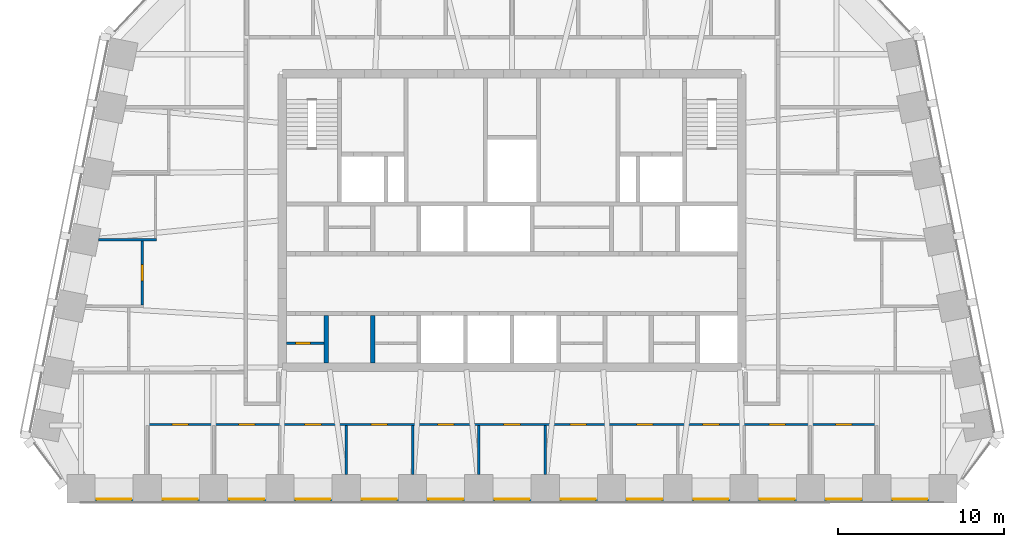
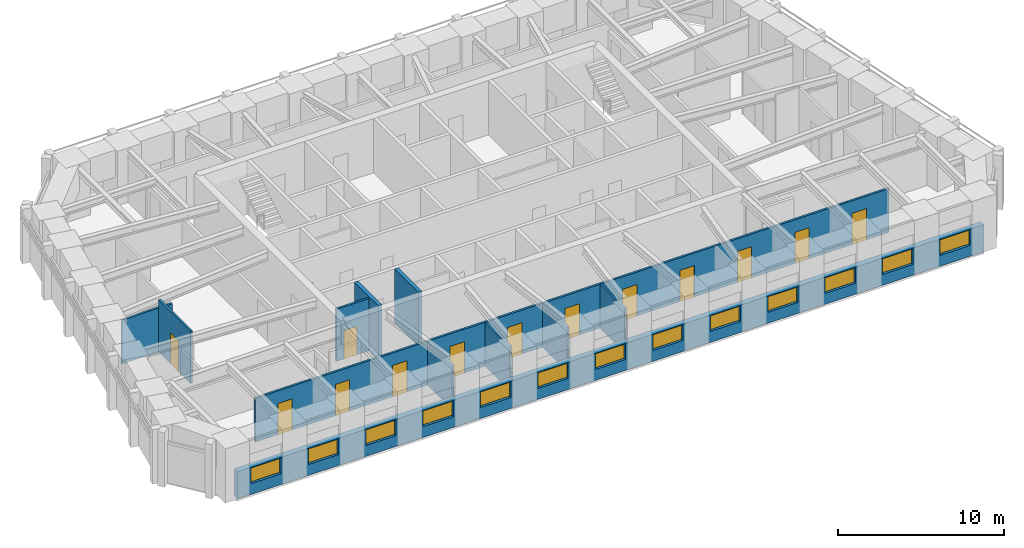
# One storey, part 4 of 10: 13 doors, 13 windows, 11 walls, 26 openings.
"""IFC4 building model written with IfcOpenShell, lengths in metres."""

import ifcopenshell
import ifcopenshell.guid

model = None  # the IFC model being written
_history = None  # IfcOwnerHistory: only IFC2X3 demands one
_inside = {}  # id of a spatial element -> (the spatial element, [elements in it])
_under = {}  # id of a project, library or spatial element -> (it, [spatial elements below it])
_declared = {}  # id of a project -> (the project, [libraries it declares])
_typed = {}  # id of a type object -> (the type object, [elements of that type])
_made_of = {}  # id of a material, layer set ... -> (it, [elements and type objects made of it])


def new_model(schema):
    """Start an empty IFC model of exactly this schema.

    Asked for "IFC4X3", IfcOpenShell would pick the latest addendum, in which some entities
    have other attributes; the version numbers below select the first issue.
    IFC2X3 requires an IfcOwnerHistory on every rooted entity: one is made here for all.
    """
    global model, _history
    if schema == "IFC4X3":
        model = ifcopenshell.file(schema_version=(4, 3, 0, 0))
    else:
        model = ifcopenshell.file(schema=schema)
    _inside.clear()
    _under.clear()
    _declared.clear()
    _typed.clear()
    _made_of.clear()
    _history = None
    if model.schema == "IFC2X3":
        org = make("IfcOrganization", Name="unknown")
        user = make(
            "IfcPersonAndOrganization",
            ThePerson=make("IfcPerson", FamilyName="unknown"),
            TheOrganization=org,
        )
        app = make(
            "IfcApplication",
            ApplicationDeveloper=org,
            Version="unknown",
            ApplicationFullName="unknown",
            ApplicationIdentifier="unknown",
        )
        _history = make(
            "IfcOwnerHistory",
            OwningUser=user,
            OwningApplication=app,
            ChangeAction="ADDED",
            CreationDate=0,
        )
    return model


def make(cls, **values):
    """One entity of the class cls with the attributes given. An attribute that is None is left unset."""
    return model.create_entity(
        cls, **{name: value for name, value in values.items() if value is not None}
    )


def rooted(cls, **values):
    """An entity with a GlobalId (a new one), such as an element, a storey or a relation."""
    return make(cls, GlobalId=ifcopenshell.guid.new(), OwnerHistory=_history, **values)


def si_unit(unit_type, name, prefix=None):
    """IfcSIUnit, for example si_unit("LENGTHUNIT", "METRE", prefix="MILLI")."""
    return make("IfcSIUnit", UnitType=unit_type, Prefix=prefix, Name=name)


def assignment(units):
    """IfcUnitAssignment: the units of a project."""
    return None if units is None else make("IfcUnitAssignment", Units=units)


def point(xyz):
    """IfcCartesianPoint."""
    return None if xyz is None else make("IfcCartesianPoint", Coordinates=xyz)


def direction(xyz):
    """IfcDirection."""
    return None if xyz is None else make("IfcDirection", DirectionRatios=xyz)


def frame(location, z_axis=None, x_axis=None):
    """IfcAxis2Placement3D, a coordinate frame: its origin and axes. An axis left out is left unset."""
    return make(
        "IfcAxis2Placement3D",
        Location=point(location),
        Axis=direction(z_axis),
        RefDirection=direction(x_axis),
    )


def frame_2d(location, x_axis=None):
    """IfcAxis2Placement2D, a coordinate frame in the plane: its origin and x axis."""
    return make(
        "IfcAxis2Placement2D", Location=point(location), RefDirection=direction(x_axis)
    )


def origin():
    """The frame at (0, 0, 0) with its axes left unset."""
    return frame((0.0, 0.0, 0.0))


def place(relative_to, where):
    """IfcLocalPlacement: puts the frame where relative to a parent placement (None: the world)."""
    return make(
        "IfcLocalPlacement", PlacementRelTo=relative_to, RelativePlacement=where
    )


def context(
    kind, dimensions, precision=None, world=None, true_north=None, identifier=None
):
    """IfcGeometricRepresentationContext, for example the 3D "Model" context."""
    return make(
        "IfcGeometricRepresentationContext",
        ContextIdentifier=identifier,
        ContextType=kind,
        CoordinateSpaceDimension=dimensions,
        Precision=precision,
        WorldCoordinateSystem=world,
        TrueNorth=true_north,
    )


def subcontext(parent, identifier, kind, view, scale=None):
    """IfcGeometricRepresentationSubContext, for example "Body" below "Model"."""
    return make(
        "IfcGeometricRepresentationSubContext",
        ContextIdentifier=identifier,
        ContextType=kind,
        ParentContext=parent,
        TargetScale=scale,
        TargetView=view,
    )


def project(units=None, contexts=None):
    """IfcProject with its units and contexts."""
    return rooted(
        "IfcProject",
        Name="project",
        RepresentationContexts=contexts,
        UnitsInContext=assignment(units),
    )


def spatial(cls, under=None, at=None, **own):
    """A site, building, storey or space (cls), placed at a placement, below another one or the project."""
    s = rooted(cls, ObjectPlacement=at, **own)
    if under is not None:
        _under.setdefault(under.id(), (under, []))[1].append(s)
    return s


def profile(cls, at=None, kind="AREA", **sizes):
    """A parametric profile (cls). Its sizes go by their IFC names, for example OverallWidth=200.0."""
    return make(cls, ProfileType=kind, Position=at, **sizes)


def rectangle(**sizes):
    """IfcRectangleProfileDef."""
    return profile("IfcRectangleProfileDef", **sizes)


def extrude(swept, where, along, depth):
    """IfcExtrudedAreaSolid: the profile swept, set in the frame where, extruded along a direction by depth."""
    return make(
        "IfcExtrudedAreaSolid",
        SweptArea=swept,
        Position=where,
        ExtrudedDirection=direction(along),
        Depth=depth,
    )


def shape(context_of_items, identifier, shape_type, items):
    """IfcShapeRepresentation: the items that make up one representation, for example the "Body"."""
    return make(
        "IfcShapeRepresentation",
        ContextOfItems=context_of_items,
        RepresentationIdentifier=identifier,
        RepresentationType=shape_type,
        Items=items,
    )


def material(Name=None, Category=None):
    """IfcMaterial."""
    return make("IfcMaterial", Name=Name, Category=Category)


def layer(
    of_material, thickness, ventilated=None, Name=None, Category=None, Priority=None
):
    """IfcMaterialLayer: one layer of a wall or slab, of a material (None: an air gap)."""
    return make(
        "IfcMaterialLayer",
        Material=of_material,
        LayerThickness=thickness,
        IsVentilated=ventilated,
        Name=Name,
        Category=Category,
        Priority=Priority,
    )


def layer_set(layers, Name=None):
    """IfcMaterialLayerSet."""
    return make("IfcMaterialLayerSet", MaterialLayers=layers, LayerSetName=Name)


def made_of(thing, what):
    """Note that an element or type object is made of a material, layer set ...; save() writes the relation."""
    if what is not None:
        _made_of.setdefault(what.id(), (what, []))[1].append(thing)
    return thing


def type_object(cls, material=None, **own):
    """A type object (cls), such as IfcWallType, which elements share."""
    return made_of(rooted(cls, **own), material)


def element(
    cls,
    number,
    at=None,
    inside=None,
    cuts=None,
    type_object=None,
    material=None,
    context=None,
    identifier="Body",
    shape_type=None,
    held_by="IfcProductDefinitionShape",
    body=None,
    shapes=None,
    **own,
):
    """One element of the class cls, such as IfcWall. Its Tag is "e" and its number.

    at: its placement. inside: the storey or other place that contains it. cuts: it is an
    opening in that element (IfcRelVoidsElement). A single representation is given by context,
    identifier, shape_type and body (its items); several are given by shapes. held_by: the class
    of the entity that holds the representations. save() writes the other relations.
    """
    e = rooted(cls, Tag="e%d" % number, ObjectPlacement=at, **own)
    if body is not None:
        shapes = [shape(context, identifier, shape_type, body)]
    if shapes is not None:
        e.Representation = make(held_by, Representations=shapes)
    if inside is not None:
        _inside.setdefault(inside.id(), (inside, []))[1].append(e)
    if cuts is not None:
        rooted(
            "IfcRelVoidsElement", RelatingBuildingElement=cuts, RelatedOpeningElement=e
        )
    if type_object is not None:
        _typed.setdefault(type_object.id(), (type_object, []))[1].append(e)
    return made_of(e, material)


def fill(opening, filler):
    """IfcRelFillsElement: the door or window that sits in an opening."""
    return rooted(
        "IfcRelFillsElement",
        RelatingOpeningElement=opening,
        RelatedBuildingElement=filler,
    )


def aggregate(whole, parts):
    """IfcRelAggregates: a whole, such as a stair, and the parts it consists of."""
    return rooted("IfcRelAggregates", RelatingObject=whole, RelatedObjects=parts)


def save(model, path):
    """Write the relations noted so far, then the file.

    IfcRelAggregates (storeys below a building ...), IfcRelContainedInSpatialStructure (elements
    in a storey), IfcRelDefinesByType, IfcRelAssociatesMaterial and IfcRelDeclares: one each for
    every whole, place, type object, material and project.
    """
    for whole, parts in _under.values():
        aggregate(whole, parts)
    for where, things in _inside.values():
        rooted(
            "IfcRelContainedInSpatialStructure",
            RelatedElements=things,
            RelatingStructure=where,
        )
    for kind, things in _typed.values():
        rooted("IfcRelDefinesByType", RelatedObjects=things, RelatingType=kind)
    for what, things in _made_of.values():
        rooted("IfcRelAssociatesMaterial", RelatedObjects=things, RelatingMaterial=what)
    for by, libraries in _declared.values():
        rooted("IfcRelDeclares", RelatingContext=by, RelatedDefinitions=libraries)
    model.write(path)


model = new_model("IFC4")

# Units and contexts
model_context = context("Model", 3, precision=1e-05, world=origin(), true_north=direction((0.0, 1.0)))
body_context = subcontext(model_context, "Body", "Model", "MODEL_VIEW")
ifc_project = project(units=[si_unit("LENGTHUNIT", "METRE"), si_unit("AREAUNIT", "SQUARE_METRE"), si_unit("VOLUMEUNIT", "CUBIC_METRE"), si_unit("PLANEANGLEUNIT", "RADIAN"), si_unit("MASSUNIT", "GRAM", prefix="KILO")], contexts=[model_context])

# Site, building, storey
site_placement = place(None, origin())
site = spatial("IfcSite", under=ifc_project, at=site_placement, CompositionType="ELEMENT")
building_placement = place(site_placement, origin())
building = spatial("IfcBuilding", under=site, at=building_placement, Name="Isbrekke Arena Tower", CompositionType="ELEMENT")
storey_placement = place(building_placement, frame((0.0, 0.0, 300.0)))
storey = spatial("IfcBuildingStorey", under=building, at=storey_placement, Name="L70", CompositionType="ELEMENT", Elevation=300.0)

# Walls
ifc_material_1 = material(Name="Concrete B45 (C45/55)", Category="concrete")
ifc_layer_1 = layer(ifc_material_1, 0.25)
ifc_layer_set_1 = layer_set([ifc_layer_1], Name="CW6 SHAFT WALL 250")
wall_type_1 = type_object("IfcWallType", Name="CW6 SHAFT WALL 250", PredefinedType="SHEAR", material=ifc_layer_set_1)
for number, where, z_axis, x_axis, name in (
    (1, (-11.199951171875, 6.39990234375, 0.0), (0.0, 0.0, 1.0), (0.0, 1.0, 0.0), "Core wall SS01 L70"),
    (2, (-8.39990234375, 6.39990234375, 0.0), (0.0, 0.0, 1.0), (0.0, 1.0, 0.0), "Core wall SS02 L70"),
):
    element("IfcWall", number, at=place(storey_placement, frame(where, z_axis=z_axis, x_axis=x_axis)), inside=storey, type_object=wall_type_1, Name=name, PredefinedType="SHEAR", context=body_context, shape_type="SweptSolid", body=[
        extrude(rectangle(XDim=2.875, YDim=0.25, at=frame_2d((1.4375, 0.0))), origin(), (0.0, 0.0, 1.0), 4.0),
    ])

# Wall, openings, windows
ifc_material_2 = material(Name="Copper cladding on insulated framing", Category="metal")
ifc_layer_2 = layer(ifc_material_2, 0.39990234375)
ifc_layer_set_2 = layer_set([ifc_layer_2], Name="EW2 COPPER-CLAD WALL 400")
wall_type_2 = type_object("IfcWallType", Name="EW2 COPPER-CLAD WALL 400", PredefinedType="SOLIDWALL", material=ifc_layer_set_2)
wall_1_placement = place(storey_placement, frame((-26.0, -1.800048828125, 0.0), z_axis=(0.0, 0.0, 1.0), x_axis=(1.0, 0.0, 0.0)))
wall_1 = element("IfcWall", 3, at=wall_1_placement, inside=storey, type_object=wall_type_2, Name="EW2 terrace wall L70", PredefinedType="SOLIDWALL", context=body_context, shape_type="SweptSolid", body=[
    extrude(rectangle(XDim=52.0, YDim=0.39990234375, at=frame_2d((26.0, 0.0))), origin(), (0.0, 0.0, 1.0), 2.0),
])
opening_1_placement = place(wall_1_placement, frame((0.949951171875, 0.0, 0.800048828125)))
opening_1 = element("IfcOpeningElement", 4, at=opening_1_placement, cuts=wall_1, Name="Opening WN1", PredefinedType="OPENING", context=body_context, shape_type="SweptSolid", body=[
    extrude(rectangle(XDim=2.10009765625, YDim=1.14990234375, at=frame_2d((1.050048828125, 0.574951171875))), frame((0.0, 0.21484375, 0.0), z_axis=(0.0, -1.0, 0.0), x_axis=(1.0, 0.0, 0.0)), (0.0, 0.0, 1.0), 0.4296875),
])
opening_2_placement = place(wall_1_placement, frame((4.949951171875, 0.0, 0.800048828125)))
opening_2 = element("IfcOpeningElement", 5, at=opening_2_placement, cuts=wall_1, Name="Opening WN1", PredefinedType="OPENING", context=body_context, shape_type="SweptSolid", body=[
    extrude(rectangle(XDim=2.10009765625, YDim=1.14990234375, at=frame_2d((1.050048828125, 0.574951171875))), frame((0.0, 0.21484375, 0.0), z_axis=(0.0, -1.0, 0.0), x_axis=(1.0, 0.0, 0.0)), (0.0, 0.0, 1.0), 0.4296875),
])
opening_3_placement = place(wall_1_placement, frame((8.949951171875, 0.0, 0.800048828125)))
opening_3 = element("IfcOpeningElement", 6, at=opening_3_placement, cuts=wall_1, Name="Opening WN1", PredefinedType="OPENING", context=body_context, shape_type="SweptSolid", body=[
    extrude(rectangle(XDim=2.10009765625, YDim=1.14990234375, at=frame_2d((1.050048828125, 0.574951171875))), frame((0.0, 0.21484375, 0.0), z_axis=(0.0, -1.0, 0.0), x_axis=(1.0, 0.0, 0.0)), (0.0, 0.0, 1.0), 0.4296875),
])
opening_4_placement = place(wall_1_placement, frame((12.949951171875, 0.0, 0.800048828125)))
opening_4 = element("IfcOpeningElement", 7, at=opening_4_placement, cuts=wall_1, Name="Opening WN1", PredefinedType="OPENING", context=body_context, shape_type="SweptSolid", body=[
    extrude(rectangle(XDim=2.10009765625, YDim=1.14990234375, at=frame_2d((1.050048828125, 0.574951171875))), frame((0.0, 0.21484375, 0.0), z_axis=(0.0, -1.0, 0.0), x_axis=(1.0, 0.0, 0.0)), (0.0, 0.0, 1.0), 0.4296875),
])
opening_5_placement = place(wall_1_placement, frame((16.949951171875, 0.0, 0.800048828125)))
opening_5 = element("IfcOpeningElement", 8, at=opening_5_placement, cuts=wall_1, Name="Opening WN1", PredefinedType="OPENING", context=body_context, shape_type="SweptSolid", body=[
    extrude(rectangle(XDim=2.10009765625, YDim=1.14990234375, at=frame_2d((1.050048828125, 0.574951171875))), frame((0.0, 0.21484375, 0.0), z_axis=(0.0, -1.0, 0.0), x_axis=(1.0, 0.0, 0.0)), (0.0, 0.0, 1.0), 0.4296875),
])
opening_6_placement = place(wall_1_placement, frame((20.949951171875, 0.0, 0.800048828125)))
opening_6 = element("IfcOpeningElement", 9, at=opening_6_placement, cuts=wall_1, Name="Opening WN1", PredefinedType="OPENING", context=body_context, shape_type="SweptSolid", body=[
    extrude(rectangle(XDim=2.10009765625, YDim=1.14990234375, at=frame_2d((1.050048828125, 0.574951171875))), frame((0.0, 0.21484375, 0.0), z_axis=(0.0, -1.0, 0.0), x_axis=(1.0, 0.0, 0.0)), (0.0, 0.0, 1.0), 0.4296875),
])
opening_7_placement = place(wall_1_placement, frame((24.949951171875, 0.0, 0.800048828125)))
opening_7 = element("IfcOpeningElement", 10, at=opening_7_placement, cuts=wall_1, Name="Opening WN1", PredefinedType="OPENING", context=body_context, shape_type="SweptSolid", body=[
    extrude(rectangle(XDim=2.10009765625, YDim=1.14990234375, at=frame_2d((1.050048828125, 0.574951171875))), frame((0.0, 0.21484375, 0.0), z_axis=(0.0, -1.0, 0.0), x_axis=(1.0, 0.0, 0.0)), (0.0, 0.0, 1.0), 0.4296875),
])
opening_8_placement = place(wall_1_placement, frame((28.949951171875, 0.0, 0.800048828125)))
opening_8 = element("IfcOpeningElement", 11, at=opening_8_placement, cuts=wall_1, Name="Opening WN1", PredefinedType="OPENING", context=body_context, shape_type="SweptSolid", body=[
    extrude(rectangle(XDim=2.10009765625, YDim=1.14990234375, at=frame_2d((1.050048828125, 0.574951171875))), frame((0.0, 0.21484375, 0.0), z_axis=(0.0, -1.0, 0.0), x_axis=(1.0, 0.0, 0.0)), (0.0, 0.0, 1.0), 0.4296875),
])
opening_9_placement = place(wall_1_placement, frame((32.949951171875, 0.0, 0.800048828125)))
opening_9 = element("IfcOpeningElement", 12, at=opening_9_placement, cuts=wall_1, Name="Opening WN1", PredefinedType="OPENING", context=body_context, shape_type="SweptSolid", body=[
    extrude(rectangle(XDim=2.10009765625, YDim=1.14990234375, at=frame_2d((1.050048828125, 0.574951171875))), frame((0.0, 0.21484375, 0.0), z_axis=(0.0, -1.0, 0.0), x_axis=(1.0, 0.0, 0.0)), (0.0, 0.0, 1.0), 0.4296875),
])
opening_10_placement = place(wall_1_placement, frame((36.949951171875, 0.0, 0.800048828125)))
opening_10 = element("IfcOpeningElement", 13, at=opening_10_placement, cuts=wall_1, Name="Opening WN1", PredefinedType="OPENING", context=body_context, shape_type="SweptSolid", body=[
    extrude(rectangle(XDim=2.10009765625, YDim=1.14990234375, at=frame_2d((1.050048828125, 0.574951171875))), frame((0.0, 0.21484375, 0.0), z_axis=(0.0, -1.0, 0.0), x_axis=(1.0, 0.0, 0.0)), (0.0, 0.0, 1.0), 0.4296875),
])
opening_11_placement = place(wall_1_placement, frame((40.949951171875, 0.0, 0.800048828125)))
opening_11 = element("IfcOpeningElement", 14, at=opening_11_placement, cuts=wall_1, Name="Opening WN1", PredefinedType="OPENING", context=body_context, shape_type="SweptSolid", body=[
    extrude(rectangle(XDim=2.10009765625, YDim=1.14990234375, at=frame_2d((1.050048828125, 0.574951171875))), frame((0.0, 0.21484375, 0.0), z_axis=(0.0, -1.0, 0.0), x_axis=(1.0, 0.0, 0.0)), (0.0, 0.0, 1.0), 0.4296875),
])
opening_12_placement = place(wall_1_placement, frame((44.949951171875, 0.0, 0.800048828125)))
opening_12 = element("IfcOpeningElement", 15, at=opening_12_placement, cuts=wall_1, Name="Opening WN1", PredefinedType="OPENING", context=body_context, shape_type="SweptSolid", body=[
    extrude(rectangle(XDim=2.10009765625, YDim=1.14990234375, at=frame_2d((1.050048828125, 0.574951171875))), frame((0.0, 0.21484375, 0.0), z_axis=(0.0, -1.0, 0.0), x_axis=(1.0, 0.0, 0.0)), (0.0, 0.0, 1.0), 0.4296875),
])
opening_13_placement = place(wall_1_placement, frame((48.949951171875, 0.0, 0.800048828125)))
opening_13 = element("IfcOpeningElement", 16, at=opening_13_placement, cuts=wall_1, Name="Opening WN1", PredefinedType="OPENING", context=body_context, shape_type="SweptSolid", body=[
    extrude(rectangle(XDim=2.10009765625, YDim=1.14990234375, at=frame_2d((1.050048828125, 0.574951171875))), frame((0.0, 0.21484375, 0.0), z_axis=(0.0, -1.0, 0.0), x_axis=(1.0, 0.0, 0.0)), (0.0, 0.0, 1.0), 0.4296875),
])
ifc_material_3 = material(Name="Timber-aluminium window, triple glazed", Category="wood")
window_type = type_object("IfcWindowType", Name="WN1 TERRACE WINDOW 2100 x 1150", PartitioningType="SINGLE_PANEL", PredefinedType="WINDOW", material=ifc_material_3)
window_1_placement = place(opening_1_placement, origin())
window_1 = element("IfcWindow", 17, at=window_1_placement, inside=storey, type_object=window_type, Name="WN1 terrace window L70-1", OverallHeight=1.14990234375, OverallWidth=2.10009765625, PartitioningType="SINGLE_PANEL", PredefinedType="WINDOW", context=body_context, shape_type="SweptSolid", body=[
    extrude(rectangle(XDim=2.10009765625, YDim=1.14990234375, at=frame_2d((1.050048828125, 0.574951171875))), frame((0.0, 0.030029296875, 0.0), z_axis=(0.0, -1.0, 0.0), x_axis=(1.0, 0.0, 0.0)), (0.0, 0.0, 1.0), 0.06005859375),
])
fill(opening_1, window_1)
window_2_placement = place(opening_2_placement, origin())
window_2 = element("IfcWindow", 18, at=window_2_placement, inside=storey, type_object=window_type, Name="WN1 terrace window L70-2", OverallHeight=1.14990234375, OverallWidth=2.10009765625, PartitioningType="SINGLE_PANEL", PredefinedType="WINDOW", context=body_context, shape_type="SweptSolid", body=[
    extrude(rectangle(XDim=2.10009765625, YDim=1.14990234375, at=frame_2d((1.050048828125, 0.574951171875))), frame((0.0, 0.030029296875, 0.0), z_axis=(0.0, -1.0, 0.0), x_axis=(1.0, 0.0, 0.0)), (0.0, 0.0, 1.0), 0.06005859375),
])
fill(opening_2, window_2)
window_3_placement = place(opening_3_placement, origin())
window_3 = element("IfcWindow", 19, at=window_3_placement, inside=storey, type_object=window_type, Name="WN1 terrace window L70-3", OverallHeight=1.14990234375, OverallWidth=2.10009765625, PartitioningType="SINGLE_PANEL", PredefinedType="WINDOW", context=body_context, shape_type="SweptSolid", body=[
    extrude(rectangle(XDim=2.10009765625, YDim=1.14990234375, at=frame_2d((1.050048828125, 0.574951171875))), frame((0.0, 0.030029296875, 0.0), z_axis=(0.0, -1.0, 0.0), x_axis=(1.0, 0.0, 0.0)), (0.0, 0.0, 1.0), 0.06005859375),
])
fill(opening_3, window_3)
window_4_placement = place(opening_4_placement, origin())
window_4 = element("IfcWindow", 20, at=window_4_placement, inside=storey, type_object=window_type, Name="WN1 terrace window L70-4", OverallHeight=1.14990234375, OverallWidth=2.10009765625, PartitioningType="SINGLE_PANEL", PredefinedType="WINDOW", context=body_context, shape_type="SweptSolid", body=[
    extrude(rectangle(XDim=2.10009765625, YDim=1.14990234375, at=frame_2d((1.050048828125, 0.574951171875))), frame((0.0, 0.030029296875, 0.0), z_axis=(0.0, -1.0, 0.0), x_axis=(1.0, 0.0, 0.0)), (0.0, 0.0, 1.0), 0.06005859375),
])
fill(opening_4, window_4)
window_5_placement = place(opening_5_placement, origin())
window_5 = element("IfcWindow", 21, at=window_5_placement, inside=storey, type_object=window_type, Name="WN1 terrace window L70-5", OverallHeight=1.14990234375, OverallWidth=2.10009765625, PartitioningType="SINGLE_PANEL", PredefinedType="WINDOW", context=body_context, shape_type="SweptSolid", body=[
    extrude(rectangle(XDim=2.10009765625, YDim=1.14990234375, at=frame_2d((1.050048828125, 0.574951171875))), frame((0.0, 0.030029296875, 0.0), z_axis=(0.0, -1.0, 0.0), x_axis=(1.0, 0.0, 0.0)), (0.0, 0.0, 1.0), 0.06005859375),
])
fill(opening_5, window_5)
window_6_placement = place(opening_6_placement, origin())
window_6 = element("IfcWindow", 22, at=window_6_placement, inside=storey, type_object=window_type, Name="WN1 terrace window L70-6", OverallHeight=1.14990234375, OverallWidth=2.10009765625, PartitioningType="SINGLE_PANEL", PredefinedType="WINDOW", context=body_context, shape_type="SweptSolid", body=[
    extrude(rectangle(XDim=2.10009765625, YDim=1.14990234375, at=frame_2d((1.050048828125, 0.574951171875))), frame((0.0, 0.030029296875, 0.0), z_axis=(0.0, -1.0, 0.0), x_axis=(1.0, 0.0, 0.0)), (0.0, 0.0, 1.0), 0.06005859375),
])
fill(opening_6, window_6)
window_7_placement = place(opening_7_placement, origin())
window_7 = element("IfcWindow", 23, at=window_7_placement, inside=storey, type_object=window_type, Name="WN1 terrace window L70-7", OverallHeight=1.14990234375, OverallWidth=2.10009765625, PartitioningType="SINGLE_PANEL", PredefinedType="WINDOW", context=body_context, shape_type="SweptSolid", body=[
    extrude(rectangle(XDim=2.10009765625, YDim=1.14990234375, at=frame_2d((1.050048828125, 0.574951171875))), frame((0.0, 0.030029296875, 0.0), z_axis=(0.0, -1.0, 0.0), x_axis=(1.0, 0.0, 0.0)), (0.0, 0.0, 1.0), 0.06005859375),
])
fill(opening_7, window_7)
window_8_placement = place(opening_8_placement, origin())
window_8 = element("IfcWindow", 24, at=window_8_placement, inside=storey, type_object=window_type, Name="WN1 terrace window L70-8", OverallHeight=1.14990234375, OverallWidth=2.10009765625, PartitioningType="SINGLE_PANEL", PredefinedType="WINDOW", context=body_context, shape_type="SweptSolid", body=[
    extrude(rectangle(XDim=2.10009765625, YDim=1.14990234375, at=frame_2d((1.050048828125, 0.574951171875))), frame((0.0, 0.030029296875, 0.0), z_axis=(0.0, -1.0, 0.0), x_axis=(1.0, 0.0, 0.0)), (0.0, 0.0, 1.0), 0.06005859375),
])
fill(opening_8, window_8)
window_9_placement = place(opening_9_placement, origin())
window_9 = element("IfcWindow", 25, at=window_9_placement, inside=storey, type_object=window_type, Name="WN1 terrace window L70-9", OverallHeight=1.14990234375, OverallWidth=2.10009765625, PartitioningType="SINGLE_PANEL", PredefinedType="WINDOW", context=body_context, shape_type="SweptSolid", body=[
    extrude(rectangle(XDim=2.10009765625, YDim=1.14990234375, at=frame_2d((1.050048828125, 0.574951171875))), frame((0.0, 0.030029296875, 0.0), z_axis=(0.0, -1.0, 0.0), x_axis=(1.0, 0.0, 0.0)), (0.0, 0.0, 1.0), 0.06005859375),
])
fill(opening_9, window_9)
window_10_placement = place(opening_10_placement, origin())
window_10 = element("IfcWindow", 26, at=window_10_placement, inside=storey, type_object=window_type, Name="WN1 terrace window L70-10", OverallHeight=1.14990234375, OverallWidth=2.10009765625, PartitioningType="SINGLE_PANEL", PredefinedType="WINDOW", context=body_context, shape_type="SweptSolid", body=[
    extrude(rectangle(XDim=2.10009765625, YDim=1.14990234375, at=frame_2d((1.050048828125, 0.574951171875))), frame((0.0, 0.030029296875, 0.0), z_axis=(0.0, -1.0, 0.0), x_axis=(1.0, 0.0, 0.0)), (0.0, 0.0, 1.0), 0.06005859375),
])
fill(opening_10, window_10)
window_11_placement = place(opening_11_placement, origin())
window_11 = element("IfcWindow", 27, at=window_11_placement, inside=storey, type_object=window_type, Name="WN1 terrace window L70-11", OverallHeight=1.14990234375, OverallWidth=2.10009765625, PartitioningType="SINGLE_PANEL", PredefinedType="WINDOW", context=body_context, shape_type="SweptSolid", body=[
    extrude(rectangle(XDim=2.10009765625, YDim=1.14990234375, at=frame_2d((1.050048828125, 0.574951171875))), frame((0.0, 0.030029296875, 0.0), z_axis=(0.0, -1.0, 0.0), x_axis=(1.0, 0.0, 0.0)), (0.0, 0.0, 1.0), 0.06005859375),
])
fill(opening_11, window_11)
window_12_placement = place(opening_12_placement, origin())
window_12 = element("IfcWindow", 28, at=window_12_placement, inside=storey, type_object=window_type, Name="WN1 terrace window L70-12", OverallHeight=1.14990234375, OverallWidth=2.10009765625, PartitioningType="SINGLE_PANEL", PredefinedType="WINDOW", context=body_context, shape_type="SweptSolid", body=[
    extrude(rectangle(XDim=2.10009765625, YDim=1.14990234375, at=frame_2d((1.050048828125, 0.574951171875))), frame((0.0, 0.030029296875, 0.0), z_axis=(0.0, -1.0, 0.0), x_axis=(1.0, 0.0, 0.0)), (0.0, 0.0, 1.0), 0.06005859375),
])
fill(opening_12, window_12)
window_13_placement = place(opening_13_placement, origin())
window_13 = element("IfcWindow", 29, at=window_13_placement, inside=storey, type_object=window_type, Name="WN1 terrace window L70-13", OverallHeight=1.14990234375, OverallWidth=2.10009765625, PartitioningType="SINGLE_PANEL", PredefinedType="WINDOW", context=body_context, shape_type="SweptSolid", body=[
    extrude(rectangle(XDim=2.10009765625, YDim=1.14990234375, at=frame_2d((1.050048828125, 0.574951171875))), frame((0.0, 0.030029296875, 0.0), z_axis=(0.0, -1.0, 0.0), x_axis=(1.0, 0.0, 0.0)), (0.0, 0.0, 1.0), 0.06005859375),
])
fill(opening_13, window_13)

# Wall, openings, doors
ifc_material_4 = material(Name="Gypsum board partition on steel studs", Category="steel")
ifc_layer_3 = layer(ifc_material_4, 0.14990234375)
ifc_layer_set_3 = layer_set([ifc_layer_3], Name="IW1 PARTITION 150")
wall_type_3 = type_object("IfcWallType", Name="IW1 PARTITION 150", PredefinedType="PARTITIONING", material=ifc_layer_set_3)
wall_2_placement = place(storey_placement, frame((-22.074951171875, 2.699951171875, 0.0), z_axis=(0.0, 0.0, 1.0), x_axis=(1.0, 0.0, 0.0)))
wall_2 = element("IfcWall", 30, at=wall_2_placement, inside=storey, type_object=wall_type_3, Name="IW1 partition 150 L70", PredefinedType="PARTITIONING", context=body_context, shape_type="SweptSolid", body=[
    extrude(rectangle(XDim=44.14990234375, YDim=0.14990234375, at=frame_2d((22.074951171875, 0.0))), origin(), (0.0, 0.0, 1.0), 3.22998046875),
])
opening_14_placement = place(wall_2_placement, frame((1.574951171875, 0.0, 0.0)))
opening_14 = element("IfcOpeningElement", 31, at=opening_14_placement, cuts=wall_2, Name="Opening D10", PredefinedType="OPENING", context=body_context, shape_type="SweptSolid", body=[
    extrude(rectangle(XDim=1.0, YDim=2.300048828125, at=frame_2d((0.5, 1.14990234375))), frame((0.0, 0.08984375, 0.0), z_axis=(0.0, -1.0, 0.0), x_axis=(1.0, 0.0, 0.0)), (0.0, 0.0, 1.0), 0.1796875),
])
opening_15_placement = place(wall_2_placement, frame((5.574951171875, 0.0, 0.0)))
opening_15 = element("IfcOpeningElement", 32, at=opening_15_placement, cuts=wall_2, Name="Opening D10", PredefinedType="OPENING", context=body_context, shape_type="SweptSolid", body=[
    extrude(rectangle(XDim=1.0, YDim=2.300048828125, at=frame_2d((0.5, 1.14990234375))), frame((0.0, 0.08984375, 0.0), z_axis=(0.0, -1.0, 0.0), x_axis=(1.0, 0.0, 0.0)), (0.0, 0.0, 1.0), 0.1796875),
])
opening_16_placement = place(wall_2_placement, frame((9.574951171875, 0.0, 0.0)))
opening_16 = element("IfcOpeningElement", 33, at=opening_16_placement, cuts=wall_2, Name="Opening D10", PredefinedType="OPENING", context=body_context, shape_type="SweptSolid", body=[
    extrude(rectangle(XDim=1.0, YDim=2.300048828125, at=frame_2d((0.5, 1.14990234375))), frame((0.0, 0.08984375, 0.0), z_axis=(0.0, -1.0, 0.0), x_axis=(1.0, 0.0, 0.0)), (0.0, 0.0, 1.0), 0.1796875),
])
opening_17_placement = place(wall_2_placement, frame((13.574951171875, 0.0, 0.0)))
opening_17 = element("IfcOpeningElement", 34, at=opening_17_placement, cuts=wall_2, Name="Opening D10", PredefinedType="OPENING", context=body_context, shape_type="SweptSolid", body=[
    extrude(rectangle(XDim=1.0, YDim=2.300048828125, at=frame_2d((0.5, 1.14990234375))), frame((0.0, 0.08984375, 0.0), z_axis=(0.0, -1.0, 0.0), x_axis=(1.0, 0.0, 0.0)), (0.0, 0.0, 1.0), 0.1796875),
])
opening_18_placement = place(wall_2_placement, frame((17.574951171875, 0.0, 0.0)))
opening_18 = element("IfcOpeningElement", 35, at=opening_18_placement, cuts=wall_2, Name="Opening D10", PredefinedType="OPENING", context=body_context, shape_type="SweptSolid", body=[
    extrude(rectangle(XDim=1.0, YDim=2.300048828125, at=frame_2d((0.5, 1.14990234375))), frame((0.0, 0.08984375, 0.0), z_axis=(0.0, -1.0, 0.0), x_axis=(1.0, 0.0, 0.0)), (0.0, 0.0, 1.0), 0.1796875),
])
opening_19_placement = place(wall_2_placement, frame((21.574951171875, 0.0, 0.0)))
opening_19 = element("IfcOpeningElement", 36, at=opening_19_placement, cuts=wall_2, Name="Opening D10", PredefinedType="OPENING", context=body_context, shape_type="SweptSolid", body=[
    extrude(rectangle(XDim=1.0, YDim=2.300048828125, at=frame_2d((0.5, 1.14990234375))), frame((0.0, 0.08984375, 0.0), z_axis=(0.0, -1.0, 0.0), x_axis=(1.0, 0.0, 0.0)), (0.0, 0.0, 1.0), 0.1796875),
])
opening_20_placement = place(wall_2_placement, frame((25.574951171875, 0.0, 0.0)))
opening_20 = element("IfcOpeningElement", 37, at=opening_20_placement, cuts=wall_2, Name="Opening D10", PredefinedType="OPENING", context=body_context, shape_type="SweptSolid", body=[
    extrude(rectangle(XDim=1.0, YDim=2.300048828125, at=frame_2d((0.5, 1.14990234375))), frame((0.0, 0.08984375, 0.0), z_axis=(0.0, -1.0, 0.0), x_axis=(1.0, 0.0, 0.0)), (0.0, 0.0, 1.0), 0.1796875),
])
opening_21_placement = place(wall_2_placement, frame((29.574951171875, 0.0, 0.0)))
opening_21 = element("IfcOpeningElement", 38, at=opening_21_placement, cuts=wall_2, Name="Opening D10", PredefinedType="OPENING", context=body_context, shape_type="SweptSolid", body=[
    extrude(rectangle(XDim=1.0, YDim=2.300048828125, at=frame_2d((0.5, 1.14990234375))), frame((0.0, 0.08984375, 0.0), z_axis=(0.0, -1.0, 0.0), x_axis=(1.0, 0.0, 0.0)), (0.0, 0.0, 1.0), 0.1796875),
])
opening_22_placement = place(wall_2_placement, frame((33.574951171875, 0.0, 0.0)))
opening_22 = element("IfcOpeningElement", 39, at=opening_22_placement, cuts=wall_2, Name="Opening D10", PredefinedType="OPENING", context=body_context, shape_type="SweptSolid", body=[
    extrude(rectangle(XDim=1.0, YDim=2.300048828125, at=frame_2d((0.5, 1.14990234375))), frame((0.0, 0.08984375, 0.0), z_axis=(0.0, -1.0, 0.0), x_axis=(1.0, 0.0, 0.0)), (0.0, 0.0, 1.0), 0.1796875),
])
opening_23_placement = place(wall_2_placement, frame((37.574951171875, 0.0, 0.0)))
opening_23 = element("IfcOpeningElement", 40, at=opening_23_placement, cuts=wall_2, Name="Opening D10", PredefinedType="OPENING", context=body_context, shape_type="SweptSolid", body=[
    extrude(rectangle(XDim=1.0, YDim=2.300048828125, at=frame_2d((0.5, 1.14990234375))), frame((0.0, 0.08984375, 0.0), z_axis=(0.0, -1.0, 0.0), x_axis=(1.0, 0.0, 0.0)), (0.0, 0.0, 1.0), 0.1796875),
])
opening_24_placement = place(wall_2_placement, frame((41.574951171875, 0.0, 0.0)))
opening_24 = element("IfcOpeningElement", 41, at=opening_24_placement, cuts=wall_2, Name="Opening D10", PredefinedType="OPENING", context=body_context, shape_type="SweptSolid", body=[
    extrude(rectangle(XDim=1.0, YDim=2.300048828125, at=frame_2d((0.5, 1.14990234375))), frame((0.0, 0.08984375, 0.0), z_axis=(0.0, -1.0, 0.0), x_axis=(1.0, 0.0, 0.0)), (0.0, 0.0, 1.0), 0.1796875),
])
ifc_material_5 = material(Name="Timber door", Category="wood")
door_type_1 = type_object("IfcDoorType", Name="D10 OFFICE DOOR 1000 x 2300", OperationType="SINGLE_SWING_LEFT", PredefinedType="DOOR", material=ifc_material_5)
door_1_placement = place(opening_14_placement, origin())
door_1 = element("IfcDoor", 42, at=door_1_placement, inside=storey, type_object=door_type_1, Name="D10 executive office door L70", OperationType="SINGLE_SWING_LEFT", OverallHeight=2.300048828125, OverallWidth=1.0, PredefinedType="DOOR", context=body_context, shape_type="SweptSolid", body=[
    extrude(rectangle(XDim=1.0, YDim=2.300048828125, at=frame_2d((0.5, 1.14990234375))), frame((0.0, 0.07470703125, 0.0), z_axis=(0.0, -1.0, 0.0), x_axis=(1.0, 0.0, 0.0)), (0.0, 0.0, 1.0), 0.1494140625),
])
fill(opening_14, door_1)
door_2_placement = place(opening_15_placement, origin())
door_2 = element("IfcDoor", 43, at=door_2_placement, inside=storey, type_object=door_type_1, Name="D10 executive office door L70", OperationType="SINGLE_SWING_LEFT", OverallHeight=2.300048828125, OverallWidth=1.0, PredefinedType="DOOR", context=body_context, shape_type="SweptSolid", body=[
    extrude(rectangle(XDim=1.0, YDim=2.300048828125, at=frame_2d((0.5, 1.14990234375))), frame((0.0, 0.07470703125, 0.0), z_axis=(0.0, -1.0, 0.0), x_axis=(1.0, 0.0, 0.0)), (0.0, 0.0, 1.0), 0.1494140625),
])
fill(opening_15, door_2)
door_3_placement = place(opening_16_placement, origin())
door_3 = element("IfcDoor", 44, at=door_3_placement, inside=storey, type_object=door_type_1, Name="D10 executive office door L70", OperationType="SINGLE_SWING_LEFT", OverallHeight=2.300048828125, OverallWidth=1.0, PredefinedType="DOOR", context=body_context, shape_type="SweptSolid", body=[
    extrude(rectangle(XDim=1.0, YDim=2.300048828125, at=frame_2d((0.5, 1.14990234375))), frame((0.0, 0.07470703125, 0.0), z_axis=(0.0, -1.0, 0.0), x_axis=(1.0, 0.0, 0.0)), (0.0, 0.0, 1.0), 0.1494140625),
])
fill(opening_16, door_3)
door_4_placement = place(opening_17_placement, origin())
door_4 = element("IfcDoor", 45, at=door_4_placement, inside=storey, type_object=door_type_1, Name="D10 executive office door L70", OperationType="SINGLE_SWING_LEFT", OverallHeight=2.300048828125, OverallWidth=1.0, PredefinedType="DOOR", context=body_context, shape_type="SweptSolid", body=[
    extrude(rectangle(XDim=1.0, YDim=2.300048828125, at=frame_2d((0.5, 1.14990234375))), frame((0.0, 0.07470703125, 0.0), z_axis=(0.0, -1.0, 0.0), x_axis=(1.0, 0.0, 0.0)), (0.0, 0.0, 1.0), 0.1494140625),
])
fill(opening_17, door_4)
door_5_placement = place(opening_18_placement, origin())
door_5 = element("IfcDoor", 46, at=door_5_placement, inside=storey, type_object=door_type_1, Name="D10 executive office door L70", OperationType="SINGLE_SWING_LEFT", OverallHeight=2.300048828125, OverallWidth=1.0, PredefinedType="DOOR", context=body_context, shape_type="SweptSolid", body=[
    extrude(rectangle(XDim=1.0, YDim=2.300048828125, at=frame_2d((0.5, 1.14990234375))), frame((0.0, 0.07470703125, 0.0), z_axis=(0.0, -1.0, 0.0), x_axis=(1.0, 0.0, 0.0)), (0.0, 0.0, 1.0), 0.1494140625),
])
fill(opening_18, door_5)
door_6_placement = place(opening_19_placement, origin())
door_6 = element("IfcDoor", 47, at=door_6_placement, inside=storey, type_object=door_type_1, Name="D10 executive office door L70", OperationType="SINGLE_SWING_LEFT", OverallHeight=2.300048828125, OverallWidth=1.0, PredefinedType="DOOR", context=body_context, shape_type="SweptSolid", body=[
    extrude(rectangle(XDim=1.0, YDim=2.300048828125, at=frame_2d((0.5, 1.14990234375))), frame((0.0, 0.07470703125, 0.0), z_axis=(0.0, -1.0, 0.0), x_axis=(1.0, 0.0, 0.0)), (0.0, 0.0, 1.0), 0.1494140625),
])
fill(opening_19, door_6)
door_7_placement = place(opening_20_placement, origin())
door_7 = element("IfcDoor", 48, at=door_7_placement, inside=storey, type_object=door_type_1, Name="D10 executive office door L70", OperationType="SINGLE_SWING_LEFT", OverallHeight=2.300048828125, OverallWidth=1.0, PredefinedType="DOOR", context=body_context, shape_type="SweptSolid", body=[
    extrude(rectangle(XDim=1.0, YDim=2.300048828125, at=frame_2d((0.5, 1.14990234375))), frame((0.0, 0.07470703125, 0.0), z_axis=(0.0, -1.0, 0.0), x_axis=(1.0, 0.0, 0.0)), (0.0, 0.0, 1.0), 0.1494140625),
])
fill(opening_20, door_7)
door_8_placement = place(opening_21_placement, origin())
door_8 = element("IfcDoor", 49, at=door_8_placement, inside=storey, type_object=door_type_1, Name="D10 executive office door L70", OperationType="SINGLE_SWING_LEFT", OverallHeight=2.300048828125, OverallWidth=1.0, PredefinedType="DOOR", context=body_context, shape_type="SweptSolid", body=[
    extrude(rectangle(XDim=1.0, YDim=2.300048828125, at=frame_2d((0.5, 1.14990234375))), frame((0.0, 0.07470703125, 0.0), z_axis=(0.0, -1.0, 0.0), x_axis=(1.0, 0.0, 0.0)), (0.0, 0.0, 1.0), 0.1494140625),
])
fill(opening_21, door_8)
door_9_placement = place(opening_22_placement, origin())
door_9 = element("IfcDoor", 50, at=door_9_placement, inside=storey, type_object=door_type_1, Name="D10 executive office door L70", OperationType="SINGLE_SWING_LEFT", OverallHeight=2.300048828125, OverallWidth=1.0, PredefinedType="DOOR", context=body_context, shape_type="SweptSolid", body=[
    extrude(rectangle(XDim=1.0, YDim=2.300048828125, at=frame_2d((0.5, 1.14990234375))), frame((0.0, 0.07470703125, 0.0), z_axis=(0.0, -1.0, 0.0), x_axis=(1.0, 0.0, 0.0)), (0.0, 0.0, 1.0), 0.1494140625),
])
fill(opening_22, door_9)
door_10_placement = place(opening_23_placement, origin())
door_10 = element("IfcDoor", 51, at=door_10_placement, inside=storey, type_object=door_type_1, Name="D10 executive office door L70", OperationType="SINGLE_SWING_LEFT", OverallHeight=2.300048828125, OverallWidth=1.0, PredefinedType="DOOR", context=body_context, shape_type="SweptSolid", body=[
    extrude(rectangle(XDim=1.0, YDim=2.300048828125, at=frame_2d((0.5, 1.14990234375))), frame((0.0, 0.07470703125, 0.0), z_axis=(0.0, -1.0, 0.0), x_axis=(1.0, 0.0, 0.0)), (0.0, 0.0, 1.0), 0.1494140625),
])
fill(opening_23, door_10)
door_11_placement = place(opening_24_placement, origin())
door_11 = element("IfcDoor", 52, at=door_11_placement, inside=storey, type_object=door_type_1, Name="D10 executive office door L70", OperationType="SINGLE_SWING_LEFT", OverallHeight=2.300048828125, OverallWidth=1.0, PredefinedType="DOOR", context=body_context, shape_type="SweptSolid", body=[
    extrude(rectangle(XDim=1.0, YDim=2.300048828125, at=frame_2d((0.5, 1.14990234375))), frame((0.0, 0.07470703125, 0.0), z_axis=(0.0, -1.0, 0.0), x_axis=(1.0, 0.0, 0.0)), (0.0, 0.0, 1.0), 0.1494140625),
])
fill(opening_24, door_11)

# Wall
wall_3_placement = place(storey_placement, frame((-24.923828125, 13.840087890625, 0.0), z_axis=(0.0, 0.0, 1.0), x_axis=(1.0, 0.0, 0.0)))
element("IfcWall", 53, at=wall_3_placement, inside=storey, type_object=wall_type_3, Name="IW1 partition 150 L70", PredefinedType="PARTITIONING", context=body_context, shape_type="SweptSolid", body=[
    extrude(rectangle(XDim=3.498779296875, YDim=0.14990234375, at=frame_2d((1.74951171875, 0.0))), origin(), (0.0, 0.0, 1.0), 3.22998046875),
])

# Wall, opening, door
wall_4_placement = place(storey_placement, frame((-22.300048828125, 9.9150390625, 0.0), z_axis=(0.0, 0.0, 1.0), x_axis=(0.0, 1.0, 0.0)))
wall_4 = element("IfcWall", 54, at=wall_4_placement, inside=storey, type_object=wall_type_3, Name="IW1 partition 150 L70", PredefinedType="PARTITIONING", context=body_context, shape_type="SweptSolid", body=[
    extrude(rectangle(XDim=3.849853515625, YDim=0.14990234375, at=frame_2d((1.9248046875, 0.0))), origin(), (0.0, 0.0, 1.0), 3.85009765625),
])
opening_25_placement = place(wall_4_placement, frame((1.425048828125, 0.0, 0.0)))
opening_25 = element("IfcOpeningElement", 55, at=opening_25_placement, cuts=wall_4, Name="Opening D10", PredefinedType="OPENING", context=body_context, shape_type="SweptSolid", body=[
    extrude(rectangle(XDim=1.0, YDim=2.300048828125, at=frame_2d((0.5, 1.14990234375))), frame((0.0, 0.08984375, 0.0), z_axis=(0.0, -1.0, 0.0), x_axis=(1.0, 0.0, 0.0)), (0.0, 0.0, 1.0), 0.1796875),
])
door_12_placement = place(opening_25_placement, origin())
door_12 = element("IfcDoor", 56, at=door_12_placement, inside=storey, type_object=door_type_1, Name="D10 executive office door L70", OperationType="SINGLE_SWING_LEFT", OverallHeight=2.300048828125, OverallWidth=1.0, PredefinedType="DOOR", context=body_context, shape_type="SweptSolid", body=[
    extrude(rectangle(XDim=1.0, YDim=2.300048828125, at=frame_2d((0.5, 1.14990234375))), frame((0.0, 0.07470703125, 0.0), z_axis=(0.0, -1.0, 0.0), x_axis=(1.0, 0.0, 0.0)), (0.0, 0.0, 1.0), 0.1494140625),
])
fill(opening_25, door_12)

# Walls
for number, where, z_axis, x_axis, name in (
    (57, (-10.0, -0.324951171875, 0.0), (0.0, 0.0, 1.0), (0.0, 1.0, 0.0), "IW1 partition 150 L70"),
    (58, (-6.0, -0.324951171875, 0.0), (0.0, 0.0, 1.0), (0.0, 1.0, 0.0), "IW1 partition 150 L70"),
    (59, (-2.0, -0.324951171875, 0.0), (0.0, 0.0, 1.0), (0.0, 1.0, 0.0), "IW1 partition 150 L70"),
    (60, (2.0, -0.324951171875, 0.0), (0.0, 0.0, 1.0), (0.0, 1.0, 0.0), "IW1 partition 150 L70"),
):
    element("IfcWall", number, at=place(storey_placement, frame(where, z_axis=z_axis, x_axis=x_axis)), inside=storey, type_object=wall_type_3, Name=name, PredefinedType="PARTITIONING", context=body_context, shape_type="SweptSolid", body=[
        extrude(rectangle(XDim=2.949951171875, YDim=0.14990234375, at=frame_2d((1.47509765625, 0.0))), origin(), (0.0, 0.0, 1.0), 3.22998046875),
    ])

# Wall, opening, door
ifc_material_6 = material(Name="Gypsum board fire-rated partition on steel studs, two layers each side", Category="steel")
ifc_layer_4 = layer(ifc_material_6, 0.14990234375)
ifc_layer_set_4 = layer_set([ifc_layer_4], Name="IW5 FIRE-RATED PARTITION 150")
wall_type_4 = type_object("IfcWallType", Name="IW5 FIRE-RATED PARTITION 150", PredefinedType="PARTITIONING", material=ifc_layer_set_4)
wall_5_placement = place(storey_placement, frame((-13.60009765625, 7.60009765625, 0.0), z_axis=(0.0, 0.0, 1.0), x_axis=(1.0, 0.0, 0.0)))
wall_5 = element("IfcWall", 61, at=wall_5_placement, inside=storey, type_object=wall_type_4, Name="IW5 fire-rated partition L70 core service rooms 4", PredefinedType="PARTITIONING", context=body_context, shape_type="SweptSolid", body=[
    extrude(rectangle(XDim=2.275146484375, YDim=0.14990234375, at=frame_2d((1.1376953125, 0.0))), origin(), (0.0, 0.0, 1.0), 3.85009765625),
])
opening_26_placement = place(wall_5_placement, frame((0.550048828125, 0.0, 0.0)))
opening_26 = element("IfcOpeningElement", 62, at=opening_26_placement, cuts=wall_5, Name="Opening D5", PredefinedType="OPENING", context=body_context, shape_type="SweptSolid", body=[
    extrude(rectangle(XDim=0.89990234375, YDim=2.10009765625, at=frame_2d((0.449951171875, 1.050048828125))), frame((0.0, 0.08984375, 0.0), z_axis=(0.0, -1.0, 0.0), x_axis=(1.0, 0.0, 0.0)), (0.0, 0.0, 1.0), 0.1796875),
])
ifc_material_7 = material(Name="Steel fire door", Category="steel")
door_type_2 = type_object("IfcDoorType", Name="D5 SERVICE DOOR 900 x 2100", OperationType="SINGLE_SWING_LEFT", PredefinedType="DOOR", material=ifc_material_7)
door_13_placement = place(opening_26_placement, origin())
door_13 = element("IfcDoor", 63, at=door_13_placement, inside=storey, type_object=door_type_2, Name="D5 tenant store door L70", OperationType="SINGLE_SWING_LEFT", OverallHeight=2.10009765625, OverallWidth=0.89990234375, PredefinedType="DOOR", context=body_context, shape_type="SweptSolid", body=[
    extrude(rectangle(XDim=0.89990234375, YDim=2.10009765625, at=frame_2d((0.449951171875, 1.050048828125))), frame((0.0, 0.07470703125, 0.0), z_axis=(0.0, -1.0, 0.0), x_axis=(1.0, 0.0, 0.0)), (0.0, 0.0, 1.0), 0.1494140625),
])
fill(opening_26, door_13)

save(model, "model.ifc")
